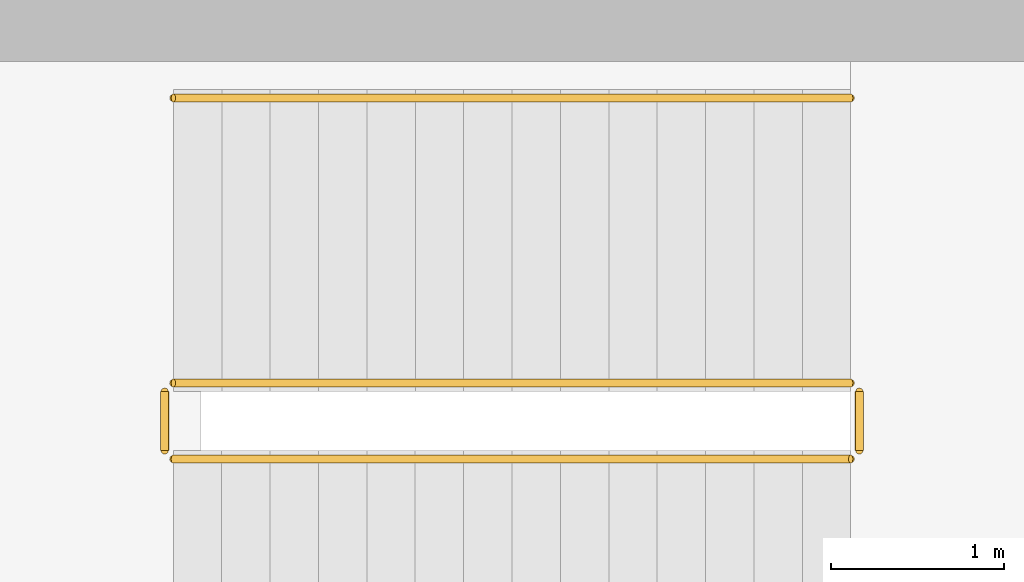
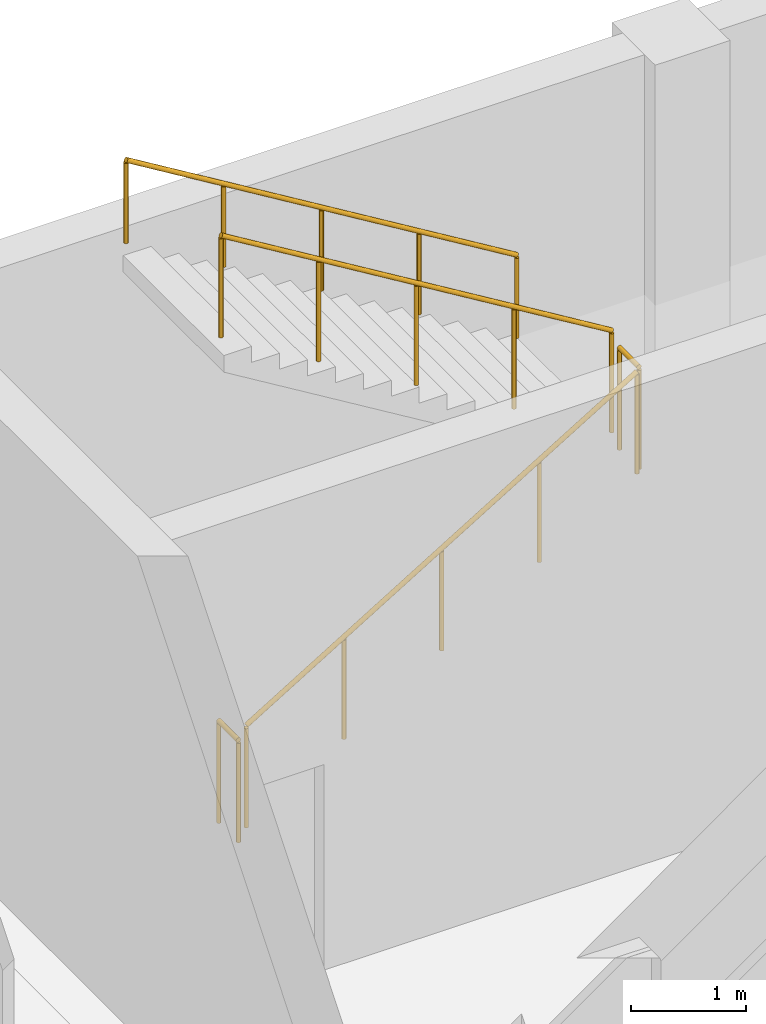
# One storey, part 60 of 66: 5 railings.
"""IFC4 building model written with IfcOpenShell, lengths in metres."""

from ifc_helpers import new_model, si_unit, direction, frame, origin, origin_2d, place, context, subcontext, project, spatial, circle, extrude, material, layer, layer_set, type_object, element, save


model = new_model("IFC4")

# Units and contexts
model_context = context("Model", 3, precision=1e-05, world=origin(), true_north=direction((0.0, 1.0)))
body_context = subcontext(model_context, "Body", "Model", "MODEL_VIEW")
ifc_project = project(units=[si_unit("LENGTHUNIT", "METRE"), si_unit("AREAUNIT", "SQUARE_METRE"), si_unit("VOLUMEUNIT", "CUBIC_METRE"), si_unit("PLANEANGLEUNIT", "RADIAN"), si_unit("MASSUNIT", "GRAM", prefix="KILO")], contexts=[model_context])

# Site, building, storey
site_placement = place(None, origin())
site = spatial("IfcSite", under=ifc_project, at=site_placement, CompositionType="ELEMENT")
building_placement = place(site_placement, origin())
building = spatial("IfcBuilding", under=site, at=building_placement, Name="Zulmaris Art Gallery", CompositionType="ELEMENT")
storey_placement = place(building_placement, frame((0.0, 0.0, 5.39990234375)))
storey = spatial("IfcBuildingStorey", under=building, at=storey_placement, Name="L01", CompositionType="ELEMENT", Elevation=5.39990234375)

# Railings
ifc_material_1 = material(Name="Steel S355J2", Category="steel")
ifc_layer_1 = layer(ifc_material_1, 0.050048828125)
ifc_layer_set_1 = layer_set([ifc_layer_1], Name="Steel S355J2")
railing_type_1 = type_object("IfcRailingType", Name="RAIL-STGRD", PredefinedType="GUARDRAIL", material=ifc_layer_set_1)
railing_1_placement = place(storey_placement, frame((68.699951171875, 73.110107421875, 0.170166015625)))
element("IfcRailing", 1, at=railing_1_placement, inside=storey, type_object=railing_type_1, Name="L01 ST7 stair guard 1", PredefinedType="GUARDRAIL", context=body_context, shape_type="SweptSolid", body=[
    extrude(circle(Radius=0.02392578125, at=origin_2d()), frame((0.0, 0.0, 1.076171875), z_axis=(0.854808600491, 0.0, 0.518943403973), x_axis=(0.0, 1.0, 0.0)), (0.0, 0.0, 1.0), 4.5859375),
    extrude(circle(Radius=0.02099609375, at=origin_2d()), origin(), (0.0, 0.0, 1.0), 1.052001953125),
    extrude(circle(Radius=0.02099609375, at=origin_2d()), frame((0.97998046875, 0.0, 0.594970703125)), (0.0, 0.0, 1.0), 1.052001953125),
    extrude(circle(Radius=0.02099609375, at=origin_2d()), frame((1.9599609375, 0.0, 1.18994140625)), (0.0, 0.0, 1.0), 1.052001953125),
    extrude(circle(Radius=0.02099609375, at=origin_2d()), frame((2.940185546875, 0.0, 1.784912109375)), (0.0, 0.0, 1.0), 1.052001953125),
    extrude(circle(Radius=0.02099609375, at=origin_2d()), frame((3.920166015625, 0.0, 2.3798828125)), (0.0, 0.0, 1.0), 1.052001953125),
])
railing_2_placement = place(storey_placement, frame((72.669921875, 73.159912109375, 2.550048828125)))
element("IfcRailing", 2, at=railing_2_placement, inside=storey, type_object=railing_type_1, Name="L01 ST7 stair guard 2", PredefinedType="GUARDRAIL", context=body_context, shape_type="SweptSolid", body=[
    extrude(circle(Radius=0.02392578125, at=origin_2d()), frame((0.0, 0.0, 1.076171875), z_axis=(0.0, 1.0, 0.0), x_axis=(-1.0, 0.0, 0.0)), (0.0, 0.0, 1.0), 0.340087890625),
    extrude(circle(Radius=0.02099609375, at=origin_2d()), origin(), (0.0, 0.0, 1.0), 1.052001953125),
    extrude(circle(Radius=0.02099609375, at=origin_2d()), frame((0.0, 0.340087890625, 0.0)), (0.0, 0.0, 1.0), 1.052001953125),
])
railing_3_placement = place(storey_placement, frame((72.6201171875, 73.550048828125, 2.72021484375)))
element("IfcRailing", 3, at=railing_3_placement, inside=storey, type_object=railing_type_1, Name="L01 ST7 stair guard 3", PredefinedType="GUARDRAIL", context=body_context, shape_type="SweptSolid", body=[
    extrude(circle(Radius=0.02392578125, at=origin_2d()), frame((0.0, 0.0, 1.076171875), z_axis=(-0.854808600491, 0.0, 0.518943403973), x_axis=(0.0, -1.0, 0.0)), (0.0, 0.0, 1.0), 4.5859375),
    extrude(circle(Radius=0.02099609375, at=origin_2d()), origin(), (0.0, 0.0, 1.0), 1.052001953125),
    extrude(circle(Radius=0.02099609375, at=origin_2d()), frame((-0.97998046875, 0.0, 0.594970703125)), (0.0, 0.0, 1.0), 1.052001953125),
    extrude(circle(Radius=0.02099609375, at=origin_2d()), frame((-1.9599609375, 0.0, 1.18994140625)), (0.0, 0.0, 1.0), 1.052001953125),
    extrude(circle(Radius=0.02099609375, at=origin_2d()), frame((-2.940185546875, 0.0, 1.784912109375)), (0.0, 0.0, 1.0), 1.052001953125),
    extrude(circle(Radius=0.02099609375, at=origin_2d()), frame((-3.920166015625, 0.0, 2.3798828125)), (0.0, 0.0, 1.0), 1.052001953125),
])
railing_4_placement = place(storey_placement, frame((68.64990234375, 73.159912109375, 0.0)))
element("IfcRailing", 4, at=railing_4_placement, inside=storey, type_object=railing_type_1, Name="L01 ST7 stair guard 4", PredefinedType="GUARDRAIL", context=body_context, shape_type="SweptSolid", body=[
    extrude(circle(Radius=0.02392578125, at=origin_2d()), frame((0.0, 0.0, 1.076171875), z_axis=(0.0, 1.0, 0.0), x_axis=(-1.0, 0.0, 0.0)), (0.0, 0.0, 1.0), 0.340087890625),
    extrude(circle(Radius=0.02099609375, at=origin_2d()), origin(), (0.0, 0.0, 1.0), 1.052001953125),
    extrude(circle(Radius=0.02099609375, at=origin_2d()), frame((0.0, 0.340087890625, 0.0)), (0.0, 0.0, 1.0), 1.052001953125),
])
ifc_material_2 = material(Name="Brushed Bronze Handrail", Category="steel")
ifc_layer_2 = layer(ifc_material_2, 0.048095703125)
ifc_layer_set_2 = layer_set([ifc_layer_2], Name="Brushed Bronze Handrail")
railing_type_2 = type_object("IfcRailingType", Name="RAIL-STHND", PredefinedType="HANDRAIL", material=ifc_layer_set_2)
railing_5_placement = place(storey_placement, frame((72.6201171875, 75.199951171875, 2.72021484375)))
element("IfcRailing", 5, at=railing_5_placement, inside=storey, type_object=railing_type_2, Name="L01 ST7 stair handrail 2", PredefinedType="HANDRAIL", context=body_context, shape_type="SweptSolid", body=[
    extrude(circle(Radius=0.02392578125, at=origin_2d()), frame((0.0, 0.0, 0.8759765625), z_axis=(-0.854808600491, 0.0, 0.518943403973), x_axis=(0.0, -1.0, 0.0)), (0.0, 0.0, 1.0), 4.5859375),
    extrude(circle(Radius=0.02099609375, at=origin_2d()), origin(), (0.0, 0.0, 1.0), 0.851806640625),
    extrude(circle(Radius=0.02099609375, at=origin_2d()), frame((-0.97998046875, 0.0, 0.594970703125)), (0.0, 0.0, 1.0), 0.851806640625),
    extrude(circle(Radius=0.02099609375, at=origin_2d()), frame((-1.9599609375, 0.0, 1.18994140625)), (0.0, 0.0, 1.0), 0.851806640625),
    extrude(circle(Radius=0.02099609375, at=origin_2d()), frame((-2.940185546875, 0.0, 1.784912109375)), (0.0, 0.0, 1.0), 0.851806640625),
    extrude(circle(Radius=0.02099609375, at=origin_2d()), frame((-3.920166015625, 0.0, 2.3798828125)), (0.0, 0.0, 1.0), 0.851806640625),
])

save(model, "model.ifc")
